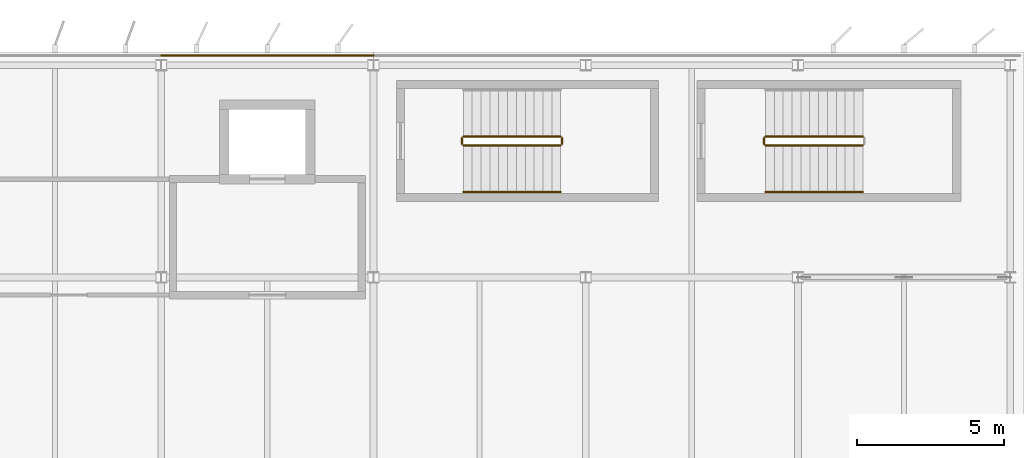
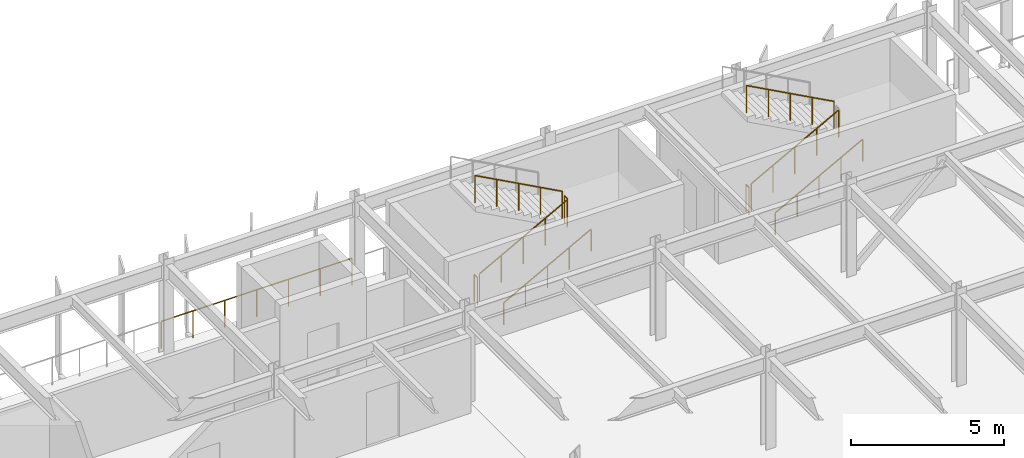
# One storey, part 47 of 52: 10 railings.
"""IFC4 building model written with IfcOpenShell, lengths in metres."""

from ifc_helpers import new_model, si_unit, direction, frame, origin, origin_2d, place, context, subcontext, project, spatial, circle, extrude, material, layer, layer_set, type_object, element, save


model = new_model("IFC4")

# Units and contexts
model_context = context("Model", 3, precision=1e-05, world=origin(), true_north=direction((0.0, 1.0)))
body_context = subcontext(model_context, "Body", "Model", "MODEL_VIEW")
ifc_project = project(units=[si_unit("LENGTHUNIT", "METRE"), si_unit("AREAUNIT", "SQUARE_METRE"), si_unit("VOLUMEUNIT", "CUBIC_METRE"), si_unit("PLANEANGLEUNIT", "RADIAN"), si_unit("MASSUNIT", "GRAM", prefix="KILO")], contexts=[model_context])

# Site, building, storey
site_placement = place(None, origin())
site = spatial("IfcSite", under=ifc_project, at=site_placement, CompositionType="ELEMENT")
building_placement = place(site_placement, origin())
building = spatial("IfcBuilding", under=site, at=building_placement, Name="Vaelcorin Mobility Hub", CompositionType="ELEMENT")
storey_placement = place(building_placement, frame((0.0, 0.0, 13.199951171875)))
storey = spatial("IfcBuildingStorey", under=building, at=storey_placement, Name="L03", CompositionType="ELEMENT", Elevation=13.199951171875)

# Railings
ifc_material_1 = material(Name="Galvanised structural steel ASTM A36", Category="steel")
ifc_layer_1 = layer(ifc_material_1, 0.070068359375)
ifc_layer_set_1 = layer_set([ifc_layer_1], Name="Galvanised structural steel ASTM A36")
railing_type_1 = type_object("IfcRailingType", Name="RL-GUARD-1100", PredefinedType="BALUSTRADE", material=ifc_layer_set_1)
railing_1_placement = place(storey_placement, frame((93.60009765625, 120.330078125, 0.0)))
element("IfcRailing", 1, at=railing_1_placement, inside=storey, type_object=railing_type_1, Name="L03 Perimeter Guard GR-V4-L03-N-09-01", PredefinedType="BALUSTRADE", context=body_context, shape_type="SweptSolid", body=[
    extrude(circle(Radius=0.02392578125, at=origin_2d()), frame((0.0, 0.0, 1.076171875), z_axis=(1.0, 0.0, 0.0), x_axis=(0.0, 1.0, 0.0)), (0.0, 0.0, 1.0), 7.199951171875),
    extrude(circle(Radius=0.02099609375, at=origin_2d()), origin(), (0.0, 0.0, 1.0), 1.052001953125),
    extrude(circle(Radius=0.02099609375, at=origin_2d()), frame((1.199951171875, 0.0, 0.0)), (0.0, 0.0, 1.0), 1.052001953125),
    extrude(circle(Radius=0.02099609375, at=origin_2d()), frame((2.39990234375, 0.0, 0.0)), (0.0, 0.0, 1.0), 1.052001953125),
    extrude(circle(Radius=0.02099609375, at=origin_2d()), frame((3.60009765625, 0.0, 0.0)), (0.0, 0.0, 1.0), 1.052001953125),
    extrude(circle(Radius=0.02099609375, at=origin_2d()), frame((4.800048828125, 0.0, 0.0)), (0.0, 0.0, 1.0), 1.052001953125),
    extrude(circle(Radius=0.02099609375, at=origin_2d()), frame((6.0, 0.0, 0.0)), (0.0, 0.0, 1.0), 1.052001953125),
    extrude(circle(Radius=0.02099609375, at=origin_2d()), frame((7.199951171875, 0.0, 0.0)), (0.0, 0.0, 1.0), 1.052001953125),
])
ifc_material_2 = material(Name="Brushed stainless steel 316L", Category="steel")
ifc_layer_2 = layer(ifc_material_2, 0.048095703125)
ifc_layer_set_2 = layer_set([ifc_layer_2], Name="Brushed stainless steel 316L")
railing_type_2 = type_object("IfcRailingType", Name="RL-STAIR-GRD", PredefinedType="GUARDRAIL", material=ifc_layer_set_2)
railing_2_placement = place(storey_placement, frame((103.85009765625, 117.280029296875, 0.16259765625)))
element("IfcRailing", 2, at=railing_2_placement, inside=storey, type_object=railing_type_2, Name="L03 ST4 stair guard 1", PredefinedType="GUARDRAIL", context=body_context, shape_type="SweptSolid", body=[
    extrude(circle(Radius=0.02392578125, at=origin_2d()), frame((0.0, 0.0, 1.076171875), z_axis=(0.879296507316, 0.0, 0.476274765468), x_axis=(0.0, 1.0, 0.0)), (0.0, 0.0, 1.0), 3.752685546875),
    extrude(circle(Radius=0.02099609375, at=origin_2d()), origin(), (0.0, 0.0, 1.0), 1.052001953125),
    extrude(circle(Radius=0.02099609375, at=origin_2d()), frame((0.824951171875, 0.0, 0.44677734375)), (0.0, 0.0, 1.0), 1.052001953125),
    extrude(circle(Radius=0.02099609375, at=origin_2d()), frame((1.64990234375, 0.0, 0.8935546875)), (0.0, 0.0, 1.0), 1.052001953125),
    extrude(circle(Radius=0.02099609375, at=origin_2d()), frame((2.474853515625, 0.0, 1.340576171875)), (0.0, 0.0, 1.0), 1.052001953125),
    extrude(circle(Radius=0.02099609375, at=origin_2d()), frame((3.2998046875, 0.0, 1.787353515625)), (0.0, 0.0, 1.0), 1.052001953125),
])
railing_3_placement = place(storey_placement, frame((107.199951171875, 117.330078125, 1.949951171875)))
element("IfcRailing", 3, at=railing_3_placement, inside=storey, type_object=railing_type_2, Name="L03 ST4 stair guard 2", PredefinedType="GUARDRAIL", context=body_context, shape_type="SweptSolid", body=[
    extrude(circle(Radius=0.02392578125, at=origin_2d()), frame((0.0, 0.0, 1.076171875), z_axis=(0.0, 1.0, 0.0), x_axis=(-1.0, 0.0, 0.0)), (0.0, 0.0, 1.0), 0.199951171875),
    extrude(circle(Radius=0.02099609375, at=origin_2d()), origin(), (0.0, 0.0, 1.0), 1.052001953125),
    extrude(circle(Radius=0.02099609375, at=origin_2d()), frame((0.0, 0.199951171875, 0.0)), (0.0, 0.0, 1.0), 1.052001953125),
])
railing_4_placement = place(storey_placement, frame((107.14990234375, 117.580078125, 2.112548828125)))
element("IfcRailing", 4, at=railing_4_placement, inside=storey, type_object=railing_type_2, Name="L03 ST4 stair guard 3", PredefinedType="GUARDRAIL", context=body_context, shape_type="SweptSolid", body=[
    extrude(circle(Radius=0.02392578125, at=origin_2d()), frame((0.0, 0.0, 1.076171875), z_axis=(-0.879269262144, 0.0, 0.476325061958), x_axis=(0.0, -1.0, 0.0)), (0.0, 0.0, 1.0), 3.7529296875),
    extrude(circle(Radius=0.02099609375, at=origin_2d()), origin(), (0.0, 0.0, 1.0), 1.052001953125),
    extrude(circle(Radius=0.02099609375, at=origin_2d()), frame((-0.824951171875, 0.0, 0.44677734375)), (0.0, 0.0, 1.0), 1.052001953125),
    extrude(circle(Radius=0.02099609375, at=origin_2d()), frame((-1.64990234375, 0.0, 0.893798828125)), (0.0, 0.0, 1.0), 1.052001953125),
    extrude(circle(Radius=0.02099609375, at=origin_2d()), frame((-2.474853515625, 0.0, 1.3408203125)), (0.0, 0.0, 1.0), 1.052001953125),
    extrude(circle(Radius=0.02099609375, at=origin_2d()), frame((-3.2998046875, 0.0, 1.78759765625)), (0.0, 0.0, 1.0), 1.052001953125),
])
railing_5_placement = place(storey_placement, frame((103.800048828125, 117.330078125, 0.0)))
element("IfcRailing", 5, at=railing_5_placement, inside=storey, type_object=railing_type_2, Name="L03 ST4 stair guard 4", PredefinedType="GUARDRAIL", context=body_context, shape_type="SweptSolid", body=[
    extrude(circle(Radius=0.02392578125, at=origin_2d()), frame((0.0, 0.0, 1.076171875), z_axis=(0.0, 1.0, 0.0), x_axis=(-1.0, 0.0, 0.0)), (0.0, 0.0, 1.0), 0.199951171875),
    extrude(circle(Radius=0.02099609375, at=origin_2d()), origin(), (0.0, 0.0, 1.0), 1.052001953125),
    extrude(circle(Radius=0.02099609375, at=origin_2d()), frame((0.0, 0.199951171875, 0.0)), (0.0, 0.0, 1.0), 1.052001953125),
])
railing_6_placement = place(storey_placement, frame((114.10009765625, 117.280029296875, 0.16259765625)))
element("IfcRailing", 6, at=railing_6_placement, inside=storey, type_object=railing_type_2, Name="L03 ST9 stair guard 1", PredefinedType="GUARDRAIL", context=body_context, shape_type="SweptSolid", body=[
    extrude(circle(Radius=0.02392578125, at=origin_2d()), frame((0.0, 0.0, 1.076171875), z_axis=(0.879296507316, 0.0, 0.476274765468), x_axis=(0.0, 1.0, 0.0)), (0.0, 0.0, 1.0), 3.752685546875),
    extrude(circle(Radius=0.02099609375, at=origin_2d()), origin(), (0.0, 0.0, 1.0), 1.052001953125),
    extrude(circle(Radius=0.02099609375, at=origin_2d()), frame((0.824951171875, 0.0, 0.44677734375)), (0.0, 0.0, 1.0), 1.052001953125),
    extrude(circle(Radius=0.02099609375, at=origin_2d()), frame((1.64990234375, 0.0, 0.8935546875)), (0.0, 0.0, 1.0), 1.052001953125),
    extrude(circle(Radius=0.02099609375, at=origin_2d()), frame((2.474853515625, 0.0, 1.340576171875)), (0.0, 0.0, 1.0), 1.052001953125),
    extrude(circle(Radius=0.02099609375, at=origin_2d()), frame((3.2998046875, 0.0, 1.787353515625)), (0.0, 0.0, 1.0), 1.052001953125),
])
railing_7_placement = place(storey_placement, frame((117.39990234375, 117.580078125, 2.112548828125)))
element("IfcRailing", 7, at=railing_7_placement, inside=storey, type_object=railing_type_2, Name="L03 ST9 stair guard 3", PredefinedType="GUARDRAIL", context=body_context, shape_type="SweptSolid", body=[
    extrude(circle(Radius=0.02392578125, at=origin_2d()), frame((0.0, 0.0, 1.076171875), z_axis=(-0.879269262144, 0.0, 0.476325061958), x_axis=(0.0, -1.0, 0.0)), (0.0, 0.0, 1.0), 3.7529296875),
    extrude(circle(Radius=0.02099609375, at=origin_2d()), origin(), (0.0, 0.0, 1.0), 1.052001953125),
    extrude(circle(Radius=0.02099609375, at=origin_2d()), frame((-0.824951171875, 0.0, 0.44677734375)), (0.0, 0.0, 1.0), 1.052001953125),
    extrude(circle(Radius=0.02099609375, at=origin_2d()), frame((-1.64990234375, 0.0, 0.893798828125)), (0.0, 0.0, 1.0), 1.052001953125),
    extrude(circle(Radius=0.02099609375, at=origin_2d()), frame((-2.474853515625, 0.0, 1.3408203125)), (0.0, 0.0, 1.0), 1.052001953125),
    extrude(circle(Radius=0.02099609375, at=origin_2d()), frame((-3.2998046875, 0.0, 1.78759765625)), (0.0, 0.0, 1.0), 1.052001953125),
])
railing_8_placement = place(storey_placement, frame((114.050048828125, 117.330078125, 0.0)))
element("IfcRailing", 8, at=railing_8_placement, inside=storey, type_object=railing_type_2, Name="L03 ST9 stair guard 4", PredefinedType="GUARDRAIL", context=body_context, shape_type="SweptSolid", body=[
    extrude(circle(Radius=0.02392578125, at=origin_2d()), frame((0.0, 0.0, 1.076171875), z_axis=(0.0, 1.0, 0.0), x_axis=(-1.0, 0.0, 0.0)), (0.0, 0.0, 1.0), 0.199951171875),
    extrude(circle(Radius=0.02099609375, at=origin_2d()), origin(), (0.0, 0.0, 1.0), 1.052001953125),
    extrude(circle(Radius=0.02099609375, at=origin_2d()), frame((0.0, 0.199951171875, 0.0)), (0.0, 0.0, 1.0), 1.052001953125),
])
ifc_layer_3 = layer(ifc_material_2, 0.048095703125)
ifc_layer_set_3 = layer_set([ifc_layer_3], Name="Brushed stainless steel 316L")
railing_type_3 = type_object("IfcRailingType", Name="RL-STAIR-HR", PredefinedType="HANDRAIL", material=ifc_layer_set_3)
for number, where, name in (
    (9, (103.85009765625, 115.699951171875, 0.16259765625), "L03 ST4 stair handrail 1"),
    (10, (114.10009765625, 115.699951171875, 0.16259765625), "L03 ST9 stair handrail 1"),
):
    element("IfcRailing", number, at=place(storey_placement, frame(where)), inside=storey, type_object=railing_type_3, Name=name, PredefinedType="HANDRAIL", context=body_context, shape_type="SweptSolid", body=[
        extrude(circle(Radius=0.02392578125, at=origin_2d()), frame((0.0, 0.0, 0.8759765625), z_axis=(0.879296507316, 0.0, 0.476274765468), x_axis=(0.0, 1.0, 0.0)), (0.0, 0.0, 1.0), 3.752685546875),
        extrude(circle(Radius=0.02099609375, at=origin_2d()), origin(), (0.0, 0.0, 1.0), 0.851806640625),
        extrude(circle(Radius=0.02099609375, at=origin_2d()), frame((0.824951171875, 0.0, 0.44677734375)), (0.0, 0.0, 1.0), 0.851806640625),
        extrude(circle(Radius=0.02099609375, at=origin_2d()), frame((1.64990234375, 0.0, 0.8935546875)), (0.0, 0.0, 1.0), 0.851806640625),
        extrude(circle(Radius=0.02099609375, at=origin_2d()), frame((2.474853515625, 0.0, 1.340576171875)), (0.0, 0.0, 1.0), 0.851806640625),
        extrude(circle(Radius=0.02099609375, at=origin_2d()), frame((3.2998046875, 0.0, 1.787353515625)), (0.0, 0.0, 1.0), 0.851806640625),
    ])

save(model, "model.ifc")
